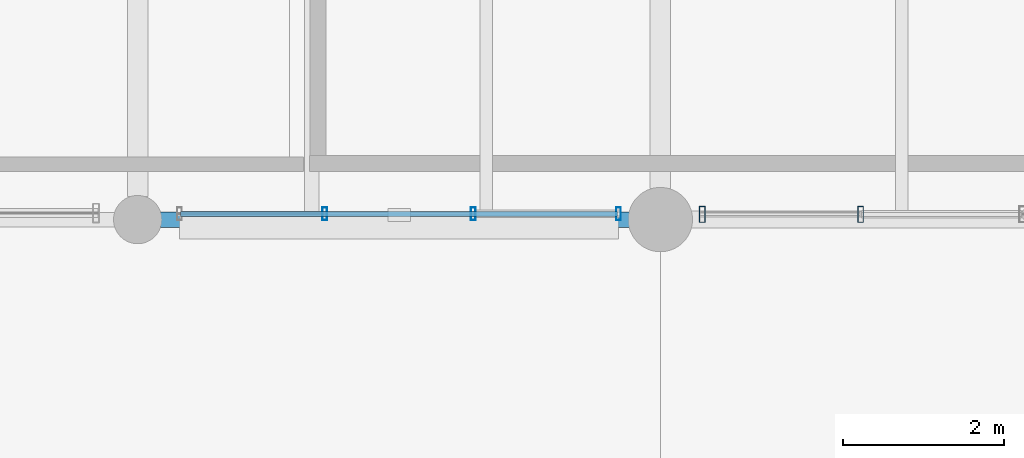
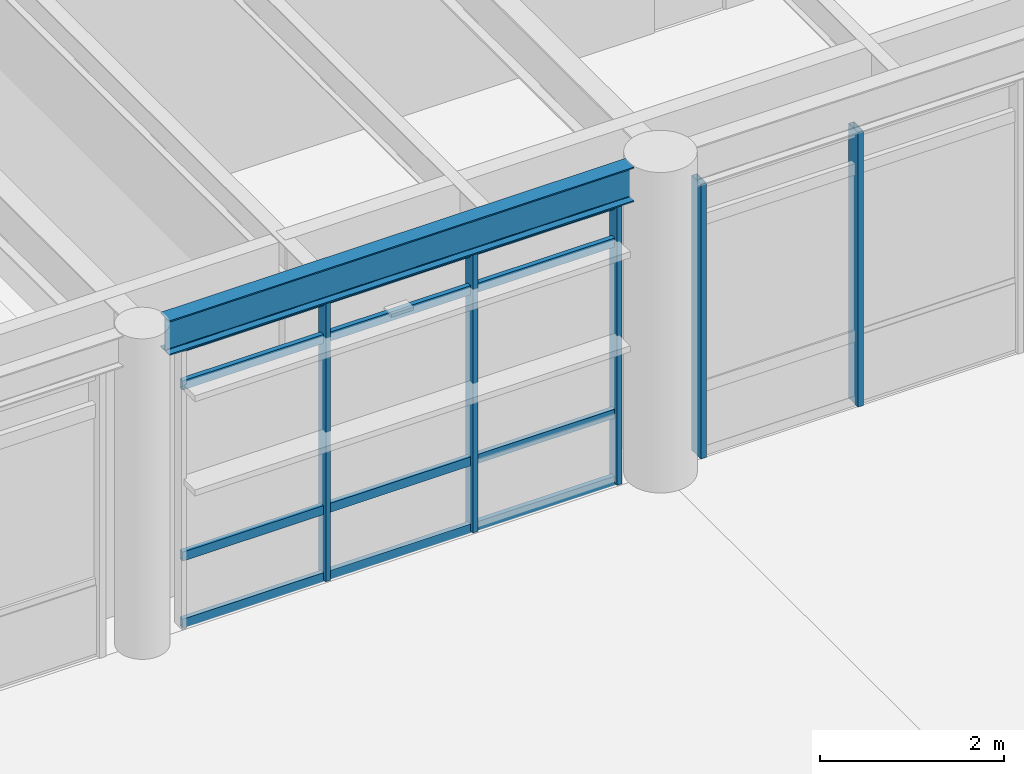
# One storey, part 75 of 168: 9 members, 1 beam, 2 elements without a shape of their own.
"""IFC4 building model written with IfcOpenShell, lengths in metres."""

from ifc_helpers import new_model, si_unit, direction, frame, origin, origin_2d, place, context, subcontext, project, spatial, hollow_rectangle, i_section, extrude, material, material_profile, profile_set, type_object, element, aggregate, save


model = new_model("IFC4")

# Units and contexts
model_context = context("Model", 3, precision=1e-05, world=origin(), true_north=direction((0.0, 1.0)))
body_context = subcontext(model_context, "Body", "Model", "MODEL_VIEW")
ifc_project = project(units=[si_unit("LENGTHUNIT", "METRE"), si_unit("AREAUNIT", "SQUARE_METRE"), si_unit("VOLUMEUNIT", "CUBIC_METRE"), si_unit("PLANEANGLEUNIT", "RADIAN"), si_unit("MASSUNIT", "GRAM", prefix="KILO"), si_unit("THERMODYNAMICTEMPERATUREUNIT", "KELVIN"), si_unit("POWERUNIT", "WATT")], contexts=[model_context])

# Site, building, storey
site_placement = place(None, origin())
site = spatial("IfcSite", under=ifc_project, at=site_placement, CompositionType="ELEMENT")
building_placement = place(site_placement, origin())
building = spatial("IfcBuilding", under=site, at=building_placement, Name="Tepalcoro Natatorium and Aquatics Centre", CompositionType="ELEMENT")
storey_placement = place(building_placement, frame((0.0, 0.0, 10.199951171875)))
storey = spatial("IfcBuildingStorey", under=building, at=storey_placement, Name="L02", CompositionType="ELEMENT", Elevation=10.199951171875)

# Curtain wall, members
ifc_material_1 = material(Name="Bronze-Anodised Extruded Aluminium Alloy EN AW-6063 T6", Category="aluminium")
curtain_wall_type_1 = type_object("IfcCurtainWallType", Name="CW_V5_UPPER", PredefinedType="USERDEFINED", material=ifc_material_1)
curtain_wall_1_placement = place(storey_placement, origin())
curtain_wall_1 = element("IfcCurtainWall", 1, at=curtain_wall_1_placement, inside=storey, type_object=curtain_wall_type_1, Name="V4 L02 S Unitised Curtain Wall Bay 5", ObjectType="FACETED SOLAR GLAZING", PredefinedType="USERDEFINED")
ifc_material_profile_1 = material_profile(ifc_material_1, hollow_rectangle(XDim=0.06005859375, YDim=0.159912109375, WallThickness=0.00390625, at=origin_2d()), Name="AL60X160X4")
ifc_profile_set_1 = profile_set([ifc_material_profile_1], Name="Bronze-Anodised Extruded Aluminium Alloy EN AW-6063 T6")
member_type_1 = type_object("IfcMemberType", Name="CW_MUL_60x160", PredefinedType="MULLION", material=ifc_profile_set_1)
member_1_placement = place(storey_placement, frame((48.82666015625, 94.0712890625, 0.02001953125), z_axis=(0.0, 0.0, 1.0), x_axis=(1.0, 0.0, 0.0)))
member_1 = element("IfcMember", 2, at=member_1_placement, type_object=member_type_1, Name="CW_V5_UPPER Curtain Wall Mullion", PredefinedType="MULLION", context=body_context, shape_type="SweptSolid", body=[
    extrude(hollow_rectangle(XDim=0.06005859375, YDim=0.159912109375, WallThickness=0.00390625, at=origin_2d()), origin(), (0.0, 0.0, 1.0), 3.719970703125),
])
member_2_placement = place(storey_placement, frame((50.67333984375, 94.0712890625, 0.02001953125), z_axis=(0.0, 0.0, 1.0), x_axis=(1.0, 0.0, 0.0)))
member_2 = element("IfcMember", 3, at=member_2_placement, type_object=member_type_1, Name="CW_V5_UPPER Curtain Wall Mullion", PredefinedType="MULLION", context=body_context, shape_type="SweptSolid", body=[
    extrude(hollow_rectangle(XDim=0.06005859375, YDim=0.159912109375, WallThickness=0.00390625, at=origin_2d()), origin(), (0.0, 0.0, 1.0), 3.719970703125),
])
member_3_placement = place(storey_placement, frame((52.47998046875, 94.0712890625, 0.02001953125), z_axis=(0.0, 0.0, 1.0), x_axis=(1.0, 0.0, 0.0)))
member_3 = element("IfcMember", 4, at=member_3_placement, type_object=member_type_1, Name="CW_V5_UPPER Curtain Wall Mullion", PredefinedType="MULLION", context=body_context, shape_type="SweptSolid", body=[
    extrude(hollow_rectangle(XDim=0.06005859375, YDim=0.159912109375, WallThickness=0.00390625, at=origin_2d()), origin(), (0.0, 0.0, 1.0), 3.719970703125),
])

curtain_wall_type_2 = type_object("IfcCurtainWallType", Name="CW_LEAN_T1_NS", PredefinedType="USERDEFINED", material=ifc_material_1)
curtain_wall_2_placement = place(storey_placement, origin())
curtain_wall_2 = element("IfcCurtainWall", 5, at=curtain_wall_2_placement, inside=storey, type_object=curtain_wall_type_2, Name="V4 L02 S Unitised Curtain Wall Bay 6", ObjectType="FACETED SOLAR GLAZING", PredefinedType="USERDEFINED")
ifc_material_profile_2 = material_profile(ifc_material_1, hollow_rectangle(XDim=0.070068359375, YDim=0.199951171875, WallThickness=0.0048828125, at=origin_2d()), Name="AL70X200X5")
ifc_profile_set_2 = profile_set([ifc_material_profile_2], Name="Bronze-Anodised Extruded Aluminium Alloy EN AW-6063 T6")
member_type_2 = type_object("IfcMemberType", Name="CW_MUL_70x200", PredefinedType="MULLION", material=ifc_profile_set_2)
member_4_placement = place(storey_placement, frame((53.52001953125, 94.06494140625, 0.02001953125), z_axis=(0.0, 0.0, 1.0), x_axis=(1.0, 0.0, 0.0)))
member_4 = element("IfcMember", 6, at=member_4_placement, type_object=member_type_2, Name="CW_LEAN_T1_NS Curtain Wall Mullion", PredefinedType="MULLION", context=body_context, shape_type="SweptSolid", body=[
    extrude(hollow_rectangle(XDim=0.070068359375, YDim=0.199951171875, WallThickness=0.0048828125, at=origin_2d()), origin(), (0.0, 0.0, 1.0), 3.64404296875),
])
member_5_placement = place(storey_placement, frame((55.489990234375, 94.06494140625, 0.02001953125), z_axis=(0.0, 0.0, 1.0), x_axis=(1.0, 0.0, 0.0)))
member_5 = element("IfcMember", 7, at=member_5_placement, type_object=member_type_2, Name="CW_LEAN_T1_NS Curtain Wall Mullion", PredefinedType="MULLION", context=body_context, shape_type="SweptSolid", body=[
    extrude(hollow_rectangle(XDim=0.070068359375, YDim=0.199951171875, WallThickness=0.0048828125, at=origin_2d()), origin(), (0.0, 0.0, 1.0), 3.64404296875),
])
aggregate(curtain_wall_2, [member_4, member_5])

# Member
ifc_material_profile_3 = material_profile(ifc_material_1, hollow_rectangle(XDim=0.06005859375, YDim=0.1201171875, WallThickness=0.00390625, at=origin_2d()), Name="AL60X120X4")
ifc_profile_set_3 = profile_set([ifc_material_profile_3], Name="Bronze-Anodised Extruded Aluminium Alloy EN AW-6063 T6")
member_type_3 = type_object("IfcMemberType", Name="CW_TRN_60x120", PredefinedType="USERDEFINED", material=ifc_profile_set_3)
member_6_placement = place(storey_placement, frame((47.030029296875, 94.0712890625, 0.050048828125), z_axis=(1.0, 0.0, 0.0), x_axis=(0.0, 1.0, 0.0)))
member_6 = element("IfcMember", 8, at=member_6_placement, type_object=member_type_3, Name="CW_V5_UPPER Curtain Wall Transom", ObjectType="TRANSOM", PredefinedType="USERDEFINED", context=body_context, shape_type="SweptSolid", body=[
    extrude(hollow_rectangle(XDim=0.06005859375, YDim=0.1201171875, WallThickness=0.00390625, at=origin_2d()), origin(), (0.0, 0.0, 1.0), 5.43994140625),
])

member_7_placement = place(storey_placement, frame((47.030029296875, 94.0712890625, 0.93994140625), z_axis=(1.0, 0.0, 0.0), x_axis=(0.0, 1.0, 0.0)))
member_7 = element("IfcMember", 9, at=member_7_placement, type_object=member_type_3, Name="CW_V5_UPPER Curtain Wall Transom", ObjectType="TRANSOM", PredefinedType="USERDEFINED", context=body_context, shape_type="SweptSolid", body=[
    extrude(hollow_rectangle(XDim=0.06005859375, YDim=0.1201171875, WallThickness=0.00390625, at=origin_2d()), origin(), (0.0, 0.0, 1.0), 5.43994140625),
])

member_8_placement = place(storey_placement, frame((47.030029296875, 94.0712890625, 3.2099609375), z_axis=(1.0, 0.0, 0.0), x_axis=(0.0, 1.0, 0.0)))
member_8 = element("IfcMember", 10, at=member_8_placement, type_object=member_type_3, Name="CW_V5_UPPER Curtain Wall Transom", ObjectType="TRANSOM", PredefinedType="USERDEFINED", context=body_context, shape_type="SweptSolid", body=[
    extrude(hollow_rectangle(XDim=0.06005859375, YDim=0.1201171875, WallThickness=0.00390625, at=origin_2d()), origin(), (0.0, 0.0, 1.0), 5.43994140625),
])

member_9_placement = place(storey_placement, frame((47.030029296875, 94.0712890625, 3.7099609375), z_axis=(1.0, 0.0, 0.0), x_axis=(0.0, 1.0, 0.0)))
member_9 = element("IfcMember", 11, at=member_9_placement, type_object=member_type_3, Name="CW_V5_UPPER Curtain Wall Transom", ObjectType="TRANSOM", PredefinedType="USERDEFINED", context=body_context, shape_type="SweptSolid", body=[
    extrude(hollow_rectangle(XDim=0.06005859375, YDim=0.1201171875, WallThickness=0.00390625, at=origin_2d()), origin(), (0.0, 0.0, 1.0), 5.43994140625),
])

aggregate(curtain_wall_1, [member_1, member_2, member_3, member_6, member_7, member_8, member_9])

# Beam
ifc_material_2 = material(Name="Steel ASTM A992 Grade 50 (Fy 345 MPa)", Category="steel")
ifc_material_profile_4 = material_profile(ifc_material_2, i_section(OverallWidth=0.19091796875, OverallDepth=0.4599609375, WebThickness=0.010009765625, FlangeThickness=0.01611328125, FilletRadius=0.013916015625, at=origin_2d()), Name="W18X55")
ifc_profile_set_4 = profile_set([ifc_material_profile_4], Name="Steel ASTM A992 Grade 50 (Fy 345 MPa)")
beam_type = type_object("IfcBeamType", Name="SP_W18x55", PredefinedType="SPANDREL", material=ifc_profile_set_4)
beam_placement = place(storey_placement, frame((46.784912109375, 94.0, 4.005126953125), z_axis=(1.0, 0.0, 0.0), x_axis=(0.0, 1.0, 0.0)))
element("IfcBeam", 12, at=beam_placement, inside=storey, type_object=beam_type, Name="V4 L02 Grid Girder X", PredefinedType="SPANDREL", context=body_context, shape_type="SweptSolid", body=[
    extrude(i_section(OverallWidth=0.19091796875, OverallDepth=0.4599609375, WebThickness=0.010009765625, FlangeThickness=0.01611328125, FilletRadius=0.013916015625, at=origin_2d()), origin(), (0.0, 0.0, 1.0), 5.830078125),
])

save(model, "model.ifc")
